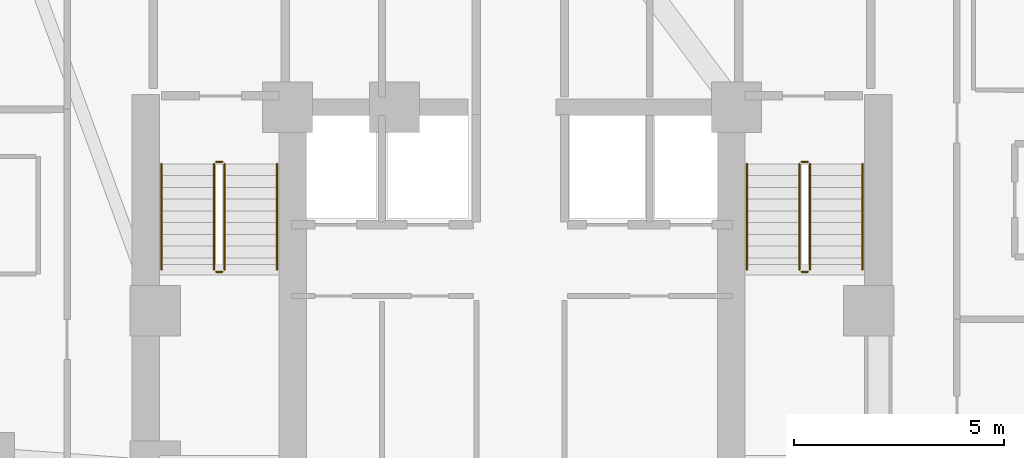
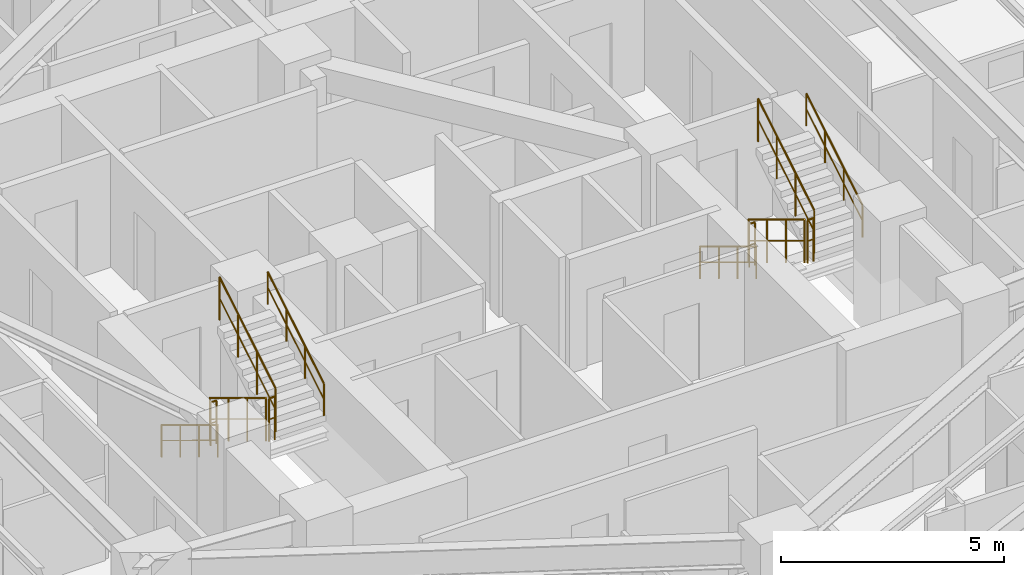
# One storey, part 15 of 15: 12 railings.
"""IFC4 building model written with IfcOpenShell, lengths in metres."""

from ifc_helpers import new_model, si_unit, direction, frame, origin, origin_2d, place, context, subcontext, project, spatial, circle, extrude, material, type_object, element, save


model = new_model("IFC4")

# Units and contexts
model_context = context("Model", 3, precision=1e-05, world=origin(), true_north=direction((0.0, 1.0)))
body_context = subcontext(model_context, "Body", "Model", "MODEL_VIEW")
ifc_project = project(units=[si_unit("LENGTHUNIT", "METRE"), si_unit("AREAUNIT", "SQUARE_METRE"), si_unit("VOLUMEUNIT", "CUBIC_METRE"), si_unit("PLANEANGLEUNIT", "RADIAN"), si_unit("MASSUNIT", "GRAM", prefix="KILO")], contexts=[model_context])

# Site, building, storey
site_placement = place(None, origin())
site = spatial("IfcSite", under=ifc_project, at=site_placement, CompositionType="ELEMENT")
building_placement = place(site_placement, origin())
building = spatial("IfcBuilding", under=site, at=building_placement, Name="Miruveldt Soraemaru", CompositionType="ELEMENT")
storey_placement = place(building_placement, frame((0.0, 0.0, 39.39990234375)))
storey = spatial("IfcBuildingStorey", under=building, at=storey_placement, Name="L10", CompositionType="ELEMENT", Elevation=39.39990234375)

# Railings
ifc_material = material(Name="Steel S355 (355 MPa)", Category="steel")
railing_type_1 = type_object("IfcRailingType", Name="RAIL-HR-900", PredefinedType="HANDRAIL", material=ifc_material)
railing_1_placement = place(storey_placement, frame((35.64990234375, 42.699951171875, 0.170166015625)))
element("IfcRailing", 1, at=railing_1_placement, inside=storey, type_object=railing_type_1, Name="L10 ST-1 stair handrail 1", PredefinedType="HANDRAIL", context=body_context, shape_type="SweptSolid", body=[
    extrude(circle(Radius=0.02392578125, at=origin_2d()), frame((0.0, 0.0, 0.8759765625), z_axis=(0.0, -0.85478489116, 0.518982456201), x_axis=(1.0, 0.0, 0.0)), (0.0, 0.0, 1.0), 2.9482421875),
    extrude(circle(Radius=0.01611328125, at=origin_2d()), frame((0.0, 0.0, 0.449951171875), z_axis=(0.0, -0.85478489116, 0.518982456201), x_axis=(1.0, 0.0, 0.0)), (0.0, 0.0, 1.0), 2.9482421875),
    extrude(circle(Radius=0.02099609375, at=origin_2d()), origin(), (0.0, 0.0, 1.0), 0.851806640625),
    extrude(circle(Radius=0.02099609375, at=origin_2d()), frame((0.0, -0.840087890625, 0.510009765625)), (0.0, 0.0, 1.0), 0.851806640625),
    extrude(circle(Radius=0.02099609375, at=origin_2d()), frame((0.0, -1.679931640625, 1.02001953125)), (0.0, 0.0, 1.0), 0.851806640625),
    extrude(circle(Radius=0.02099609375, at=origin_2d()), frame((0.0, -2.52001953125, 1.530029296875)), (0.0, 0.0, 1.0), 0.851806640625),
])
railing_2_placement = place(storey_placement, frame((38.39990234375, 40.179931640625, 1.8701171875)))
element("IfcRailing", 2, at=railing_2_placement, inside=storey, type_object=railing_type_1, Name="L10 ST-1 stair handrail 2", PredefinedType="HANDRAIL", context=body_context, shape_type="SweptSolid", body=[
    extrude(circle(Radius=0.02392578125, at=origin_2d()), frame((0.0, 0.0, 0.8759765625), z_axis=(0.0, 0.85478489116, 0.518982456201), x_axis=(-1.0, 0.0, 0.0)), (0.0, 0.0, 1.0), 2.9482421875),
    extrude(circle(Radius=0.01611328125, at=origin_2d()), frame((0.0, 0.0, 0.449951171875), z_axis=(0.0, 0.85478489116, 0.518982456201), x_axis=(-1.0, 0.0, 0.0)), (0.0, 0.0, 1.0), 2.9482421875),
    extrude(circle(Radius=0.02099609375, at=origin_2d()), origin(), (0.0, 0.0, 1.0), 0.851806640625),
    extrude(circle(Radius=0.02099609375, at=origin_2d()), frame((0.0, 0.840087890625, 0.510009765625)), (0.0, 0.0, 1.0), 0.851806640625),
    extrude(circle(Radius=0.02099609375, at=origin_2d()), frame((0.0, 1.679931640625, 1.02001953125)), (0.0, 0.0, 1.0), 0.851806640625),
    extrude(circle(Radius=0.02099609375, at=origin_2d()), frame((0.0, 2.52001953125, 1.530029296875)), (0.0, 0.0, 1.0), 0.851806640625),
])
railing_3_placement = place(storey_placement, frame((49.60009765625, 42.699951171875, 0.170166015625)))
element("IfcRailing", 3, at=railing_3_placement, inside=storey, type_object=railing_type_1, Name="L10 ST-2 stair handrail 1", PredefinedType="HANDRAIL", context=body_context, shape_type="SweptSolid", body=[
    extrude(circle(Radius=0.02392578125, at=origin_2d()), frame((0.0, 0.0, 0.8759765625), z_axis=(0.0, -0.85478489116, 0.518982456201), x_axis=(1.0, 0.0, 0.0)), (0.0, 0.0, 1.0), 2.9482421875),
    extrude(circle(Radius=0.01611328125, at=origin_2d()), frame((0.0, 0.0, 0.449951171875), z_axis=(0.0, -0.85478489116, 0.518982456201), x_axis=(1.0, 0.0, 0.0)), (0.0, 0.0, 1.0), 2.9482421875),
    extrude(circle(Radius=0.02099609375, at=origin_2d()), origin(), (0.0, 0.0, 1.0), 0.851806640625),
    extrude(circle(Radius=0.02099609375, at=origin_2d()), frame((0.0, -0.840087890625, 0.510009765625)), (0.0, 0.0, 1.0), 0.851806640625),
    extrude(circle(Radius=0.02099609375, at=origin_2d()), frame((0.0, -1.679931640625, 1.02001953125)), (0.0, 0.0, 1.0), 0.851806640625),
    extrude(circle(Radius=0.02099609375, at=origin_2d()), frame((0.0, -2.52001953125, 1.530029296875)), (0.0, 0.0, 1.0), 0.851806640625),
])
railing_4_placement = place(storey_placement, frame((52.35009765625, 40.179931640625, 1.8701171875)))
element("IfcRailing", 4, at=railing_4_placement, inside=storey, type_object=railing_type_1, Name="L10 ST-2 stair handrail 2", PredefinedType="HANDRAIL", context=body_context, shape_type="SweptSolid", body=[
    extrude(circle(Radius=0.02392578125, at=origin_2d()), frame((0.0, 0.0, 0.8759765625), z_axis=(0.0, 0.85478489116, 0.518982456201), x_axis=(-1.0, 0.0, 0.0)), (0.0, 0.0, 1.0), 2.9482421875),
    extrude(circle(Radius=0.01611328125, at=origin_2d()), frame((0.0, 0.0, 0.449951171875), z_axis=(0.0, 0.85478489116, 0.518982456201), x_axis=(-1.0, 0.0, 0.0)), (0.0, 0.0, 1.0), 2.9482421875),
    extrude(circle(Radius=0.02099609375, at=origin_2d()), origin(), (0.0, 0.0, 1.0), 0.851806640625),
    extrude(circle(Radius=0.02099609375, at=origin_2d()), frame((0.0, 0.840087890625, 0.510009765625)), (0.0, 0.0, 1.0), 0.851806640625),
    extrude(circle(Radius=0.02099609375, at=origin_2d()), frame((0.0, 1.679931640625, 1.02001953125)), (0.0, 0.0, 1.0), 0.851806640625),
    extrude(circle(Radius=0.02099609375, at=origin_2d()), frame((0.0, 2.52001953125, 1.530029296875)), (0.0, 0.0, 1.0), 0.851806640625),
])
railing_type_2 = type_object("IfcRailingType", Name="RAIL-STGUARD-1200", PredefinedType="GUARDRAIL", material=ifc_material)
railing_5_placement = place(storey_placement, frame((36.89990234375, 42.699951171875, 0.170166015625)))
element("IfcRailing", 5, at=railing_5_placement, inside=storey, type_object=railing_type_2, Name="L10 ST-1 stair guard 1", PredefinedType="GUARDRAIL", context=body_context, shape_type="SweptSolid", body=[
    extrude(circle(Radius=0.02392578125, at=origin_2d()), frame((0.0, 0.0, 1.17578125), z_axis=(0.0, -0.85478489116, 0.518982456201), x_axis=(1.0, 0.0, 0.0)), (0.0, 0.0, 1.0), 2.9482421875),
    extrude(circle(Radius=0.01611328125, at=origin_2d()), frame((0.0, 0.0, 0.60009765625), z_axis=(0.0, -0.85478489116, 0.518982456201), x_axis=(1.0, 0.0, 0.0)), (0.0, 0.0, 1.0), 2.9482421875),
    extrude(circle(Radius=0.02099609375, at=origin_2d()), origin(), (0.0, 0.0, 1.0), 1.15185546875),
    extrude(circle(Radius=0.02099609375, at=origin_2d()), frame((0.0, -0.840087890625, 0.510009765625)), (0.0, 0.0, 1.0), 1.15185546875),
    extrude(circle(Radius=0.02099609375, at=origin_2d()), frame((0.0, -1.679931640625, 1.02001953125)), (0.0, 0.0, 1.0), 1.15185546875),
    extrude(circle(Radius=0.02099609375, at=origin_2d()), frame((0.0, -2.52001953125, 1.530029296875)), (0.0, 0.0, 1.0), 1.15185546875),
])
railing_6_placement = place(storey_placement, frame((36.949951171875, 40.1298828125, 1.7001953125)))
element("IfcRailing", 6, at=railing_6_placement, inside=storey, type_object=railing_type_2, Name="L10 ST-1 stair guard 2", PredefinedType="GUARDRAIL", context=body_context, shape_type="SweptSolid", body=[
    extrude(circle(Radius=0.02392578125, at=origin_2d()), frame((0.0, 0.0, 1.17578125), z_axis=(1.0, 0.0, 0.0), x_axis=(0.0, 1.0, 0.0)), (0.0, 0.0, 1.0), 0.150146484375),
    extrude(circle(Radius=0.01611328125, at=origin_2d()), frame((0.0, 0.0, 0.60009765625), z_axis=(1.0, 0.0, 0.0), x_axis=(0.0, 1.0, 0.0)), (0.0, 0.0, 1.0), 0.150146484375),
    extrude(circle(Radius=0.02099609375, at=origin_2d()), origin(), (0.0, 0.0, 1.0), 1.15185546875),
    extrude(circle(Radius=0.02099609375, at=origin_2d()), frame((0.150146484375, 0.0, 0.0)), (0.0, 0.0, 1.0), 1.15185546875),
])
railing_7_placement = place(storey_placement, frame((37.14990234375, 40.179931640625, 1.8701171875)))
element("IfcRailing", 7, at=railing_7_placement, inside=storey, type_object=railing_type_2, Name="L10 ST-1 stair guard 3", PredefinedType="GUARDRAIL", context=body_context, shape_type="SweptSolid", body=[
    extrude(circle(Radius=0.02392578125, at=origin_2d()), frame((0.0, 0.0, 1.17578125), z_axis=(0.0, 0.85478489116, 0.518982456201), x_axis=(-1.0, 0.0, 0.0)), (0.0, 0.0, 1.0), 2.9482421875),
    extrude(circle(Radius=0.01611328125, at=origin_2d()), frame((0.0, 0.0, 0.60009765625), z_axis=(0.0, 0.85478489116, 0.518982456201), x_axis=(-1.0, 0.0, 0.0)), (0.0, 0.0, 1.0), 2.9482421875),
    extrude(circle(Radius=0.02099609375, at=origin_2d()), origin(), (0.0, 0.0, 1.0), 1.15185546875),
    extrude(circle(Radius=0.02099609375, at=origin_2d()), frame((0.0, 0.840087890625, 0.510009765625)), (0.0, 0.0, 1.0), 1.15185546875),
    extrude(circle(Radius=0.02099609375, at=origin_2d()), frame((0.0, 1.679931640625, 1.02001953125)), (0.0, 0.0, 1.0), 1.15185546875),
    extrude(circle(Radius=0.02099609375, at=origin_2d()), frame((0.0, 2.52001953125, 1.530029296875)), (0.0, 0.0, 1.0), 1.15185546875),
])
railing_8_placement = place(storey_placement, frame((36.949951171875, 42.75, 0.0)))
element("IfcRailing", 8, at=railing_8_placement, inside=storey, type_object=railing_type_2, Name="L10 ST-1 stair guard 4", PredefinedType="GUARDRAIL", context=body_context, shape_type="SweptSolid", body=[
    extrude(circle(Radius=0.02392578125, at=origin_2d()), frame((0.0, 0.0, 1.17578125), z_axis=(1.0, 0.0, 0.0), x_axis=(0.0, 1.0, 0.0)), (0.0, 0.0, 1.0), 0.150146484375),
    extrude(circle(Radius=0.01611328125, at=origin_2d()), frame((0.0, 0.0, 0.60009765625), z_axis=(1.0, 0.0, 0.0), x_axis=(0.0, 1.0, 0.0)), (0.0, 0.0, 1.0), 0.150146484375),
    extrude(circle(Radius=0.02099609375, at=origin_2d()), origin(), (0.0, 0.0, 1.0), 1.15185546875),
    extrude(circle(Radius=0.02099609375, at=origin_2d()), frame((0.150146484375, 0.0, 0.0)), (0.0, 0.0, 1.0), 1.15185546875),
])
railing_9_placement = place(storey_placement, frame((50.85009765625, 42.699951171875, 0.170166015625)))
element("IfcRailing", 9, at=railing_9_placement, inside=storey, type_object=railing_type_2, Name="L10 ST-2 stair guard 1", PredefinedType="GUARDRAIL", context=body_context, shape_type="SweptSolid", body=[
    extrude(circle(Radius=0.02392578125, at=origin_2d()), frame((0.0, 0.0, 1.17578125), z_axis=(0.0, -0.85478489116, 0.518982456201), x_axis=(1.0, 0.0, 0.0)), (0.0, 0.0, 1.0), 2.9482421875),
    extrude(circle(Radius=0.01611328125, at=origin_2d()), frame((0.0, 0.0, 0.60009765625), z_axis=(0.0, -0.85478489116, 0.518982456201), x_axis=(1.0, 0.0, 0.0)), (0.0, 0.0, 1.0), 2.9482421875),
    extrude(circle(Radius=0.02099609375, at=origin_2d()), origin(), (0.0, 0.0, 1.0), 1.15185546875),
    extrude(circle(Radius=0.02099609375, at=origin_2d()), frame((0.0, -0.840087890625, 0.510009765625)), (0.0, 0.0, 1.0), 1.15185546875),
    extrude(circle(Radius=0.02099609375, at=origin_2d()), frame((0.0, -1.679931640625, 1.02001953125)), (0.0, 0.0, 1.0), 1.15185546875),
    extrude(circle(Radius=0.02099609375, at=origin_2d()), frame((0.0, -2.52001953125, 1.530029296875)), (0.0, 0.0, 1.0), 1.15185546875),
])
railing_10_placement = place(storey_placement, frame((50.89990234375, 40.1298828125, 1.7001953125)))
element("IfcRailing", 10, at=railing_10_placement, inside=storey, type_object=railing_type_2, Name="L10 ST-2 stair guard 2", PredefinedType="GUARDRAIL", context=body_context, shape_type="SweptSolid", body=[
    extrude(circle(Radius=0.02392578125, at=origin_2d()), frame((0.0, 0.0, 1.17578125), z_axis=(1.0, 0.0, 0.0), x_axis=(0.0, 1.0, 0.0)), (0.0, 0.0, 1.0), 0.150146484375),
    extrude(circle(Radius=0.01611328125, at=origin_2d()), frame((0.0, 0.0, 0.60009765625), z_axis=(1.0, 0.0, 0.0), x_axis=(0.0, 1.0, 0.0)), (0.0, 0.0, 1.0), 0.150146484375),
    extrude(circle(Radius=0.02099609375, at=origin_2d()), origin(), (0.0, 0.0, 1.0), 1.15185546875),
    extrude(circle(Radius=0.02099609375, at=origin_2d()), frame((0.150146484375, 0.0, 0.0)), (0.0, 0.0, 1.0), 1.15185546875),
])
railing_11_placement = place(storey_placement, frame((51.10009765625, 40.179931640625, 1.8701171875)))
element("IfcRailing", 11, at=railing_11_placement, inside=storey, type_object=railing_type_2, Name="L10 ST-2 stair guard 3", PredefinedType="GUARDRAIL", context=body_context, shape_type="SweptSolid", body=[
    extrude(circle(Radius=0.02392578125, at=origin_2d()), frame((0.0, 0.0, 1.17578125), z_axis=(0.0, 0.85478489116, 0.518982456201), x_axis=(-1.0, 0.0, 0.0)), (0.0, 0.0, 1.0), 2.9482421875),
    extrude(circle(Radius=0.01611328125, at=origin_2d()), frame((0.0, 0.0, 0.60009765625), z_axis=(0.0, 0.85478489116, 0.518982456201), x_axis=(-1.0, 0.0, 0.0)), (0.0, 0.0, 1.0), 2.9482421875),
    extrude(circle(Radius=0.02099609375, at=origin_2d()), origin(), (0.0, 0.0, 1.0), 1.15185546875),
    extrude(circle(Radius=0.02099609375, at=origin_2d()), frame((0.0, 0.840087890625, 0.510009765625)), (0.0, 0.0, 1.0), 1.15185546875),
    extrude(circle(Radius=0.02099609375, at=origin_2d()), frame((0.0, 1.679931640625, 1.02001953125)), (0.0, 0.0, 1.0), 1.15185546875),
    extrude(circle(Radius=0.02099609375, at=origin_2d()), frame((0.0, 2.52001953125, 1.530029296875)), (0.0, 0.0, 1.0), 1.15185546875),
])
railing_12_placement = place(storey_placement, frame((50.89990234375, 42.75, 0.0)))
element("IfcRailing", 12, at=railing_12_placement, inside=storey, type_object=railing_type_2, Name="L10 ST-2 stair guard 4", PredefinedType="GUARDRAIL", context=body_context, shape_type="SweptSolid", body=[
    extrude(circle(Radius=0.02392578125, at=origin_2d()), frame((0.0, 0.0, 1.17578125), z_axis=(1.0, 0.0, 0.0), x_axis=(0.0, 1.0, 0.0)), (0.0, 0.0, 1.0), 0.150146484375),
    extrude(circle(Radius=0.01611328125, at=origin_2d()), frame((0.0, 0.0, 0.60009765625), z_axis=(1.0, 0.0, 0.0), x_axis=(0.0, 1.0, 0.0)), (0.0, 0.0, 1.0), 0.150146484375),
    extrude(circle(Radius=0.02099609375, at=origin_2d()), origin(), (0.0, 0.0, 1.0), 1.15185546875),
    extrude(circle(Radius=0.02099609375, at=origin_2d()), frame((0.150146484375, 0.0, 0.0)), (0.0, 0.0, 1.0), 1.15185546875),
])

save(model, "model.ifc")
